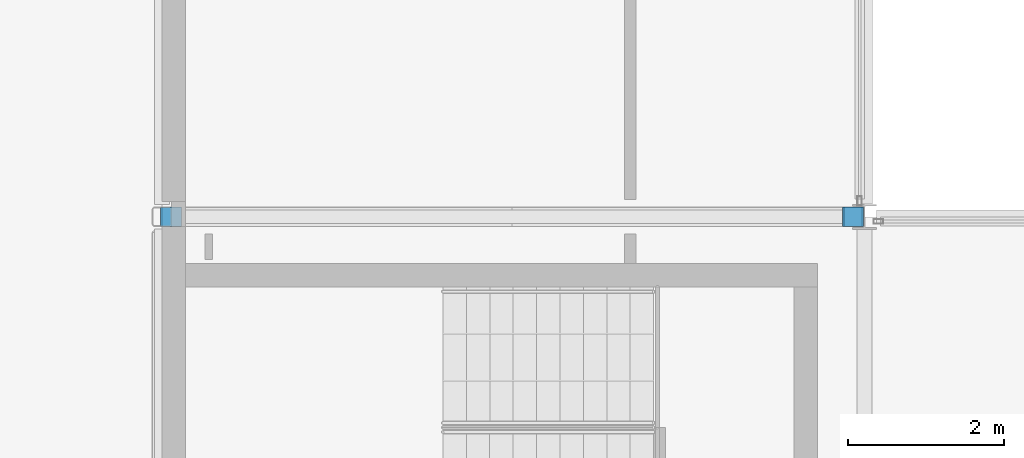
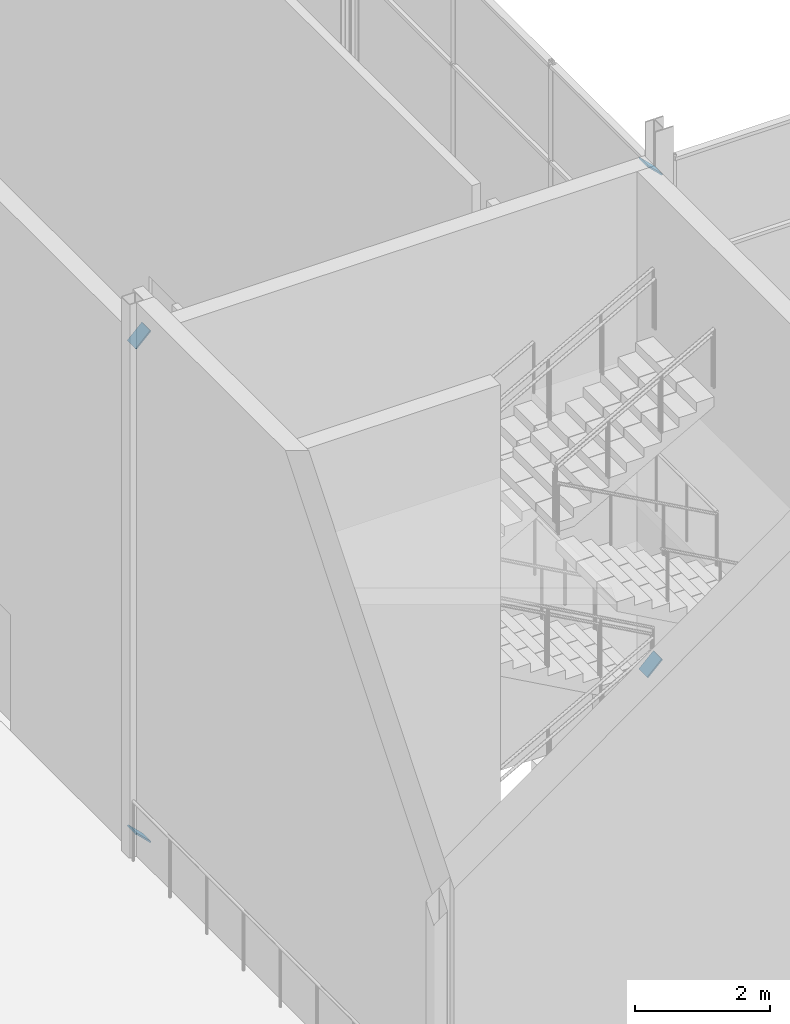
# One storey, part 100 of 111: 4 discrete accessories.
"""IFC4 building model written with IfcOpenShell, lengths in metres."""

from ifc_helpers import new_model, si_unit, direction, frame, origin, place, context, subcontext, project, spatial, polyline, outline, extrude, material, layer, layer_set, type_object, element, save


model = new_model("IFC4")

# Units and contexts
model_context = context("Model", 3, precision=1e-05, world=origin(), true_north=direction((0.0, 1.0)))
body_context = subcontext(model_context, "Body", "Model", "MODEL_VIEW")
ifc_project = project(units=[si_unit("LENGTHUNIT", "METRE"), si_unit("AREAUNIT", "SQUARE_METRE"), si_unit("VOLUMEUNIT", "CUBIC_METRE"), si_unit("PLANEANGLEUNIT", "RADIAN"), si_unit("MASSUNIT", "GRAM", prefix="KILO")], contexts=[model_context])

# Site, building, storey
site_placement = place(None, origin())
site = spatial("IfcSite", under=ifc_project, at=site_placement, CompositionType="ELEMENT")
building_placement = place(site_placement, origin())
building = spatial("IfcBuilding", under=site, at=building_placement, Name="Shorebreak Coast Museum", CompositionType="ELEMENT")
storey_placement = place(building_placement, frame((0.0, 0.0, 16.0)))
storey = spatial("IfcBuildingStorey", under=building, at=storey_placement, Name="L03", CompositionType="ELEMENT", Elevation=16.0)

# Discrete accessories
ifc_material = material(Name="Steel Grade 300", Category="steel")
ifc_layer = layer(ifc_material, 0.02490234375)
ifc_layer_set = layer_set([ifc_layer], Name="Steel Grade 300")
discrete_accessory_type = type_object("IfcDiscreteAccessoryType", Name="End plate 250 x 350 x 25", PredefinedType="BRACKET", material=ifc_layer_set)
discrete_accessory_1_placement = place(storey_placement, frame((54.25048828125, 62.875, 0.177978515625), z_axis=(0.697277509525, 0.0, 0.716801279792), x_axis=(0.0, 1.0, 0.0)))
element("IfcDiscreteAccessory", 1, at=discrete_accessory_1_placement, inside=storey, type_object=discrete_accessory_type, Name="End plate X-brace bay 01 L03 diagonal 1 end 1", PredefinedType="BRACKET", context=body_context, shape_type="SweptSolid", body=[
    extrude(outline(polyline([(0.0, 0.0), (0.25, 0.0), (0.25, 0.3501340881715275), (0.0, 0.3501340881715275), (0.0, 0.0)])), origin(), (0.0, 0.0, -1.0), 0.02490234375),
])
discrete_accessory_2_placement = place(storey_placement, frame((62.98828125, 62.875, 9.1708984375), z_axis=(0.696918984095, 0.0, 0.717149865515), x_axis=(0.0, 1.0, 0.0)))
element("IfcDiscreteAccessory", 2, at=discrete_accessory_2_placement, inside=storey, type_object=discrete_accessory_type, Name="End plate X-brace bay 01 L03 diagonal 1 end 2", PredefinedType="BRACKET", context=body_context, shape_type="SweptSolid", body=[
    extrude(outline(polyline([(0.0, 0.0), (0.25, 0.0), (0.25, 0.3499638981592259), (0.0, 0.3499638981592259), (0.0, 0.0)])), origin(), (0.0, 0.0, -1.0), 0.02490234375),
])
discrete_accessory_3_placement = place(storey_placement, frame((62.719970703125, 63.125, 0.177978515625), z_axis=(-0.697277509525, 0.0, 0.716801279792), x_axis=(0.0, -1.0, 0.0)))
element("IfcDiscreteAccessory", 3, at=discrete_accessory_3_placement, inside=storey, type_object=discrete_accessory_type, Name="End plate X-brace bay 01 L03 diagonal 2 end 1", PredefinedType="BRACKET", context=body_context, shape_type="SweptSolid", body=[
    extrude(outline(polyline([(0.0, 0.0), (0.25, 0.0), (0.25, 0.3501340881715275), (0.0, 0.3501340881715275), (0.0, 0.0)])), origin(), (0.0, 0.0, -1.0), 0.02490234375),
])
discrete_accessory_4_placement = place(storey_placement, frame((53.982177734375, 63.125, 9.1708984375), z_axis=(-0.696918984095, 0.0, 0.717149865515), x_axis=(0.0, -1.0, 0.0)))
element("IfcDiscreteAccessory", 4, at=discrete_accessory_4_placement, inside=storey, type_object=discrete_accessory_type, Name="End plate X-brace bay 01 L03 diagonal 2 end 2", PredefinedType="BRACKET", context=body_context, shape_type="SweptSolid", body=[
    extrude(outline(polyline([(0.0, 0.0), (0.25, 0.0), (0.25, 0.3499638981592259), (0.0, 0.3499638981592259), (0.0, 0.0)])), origin(), (0.0, 0.0, -1.0), 0.02490234375),
])

save(model, "model.ifc")
